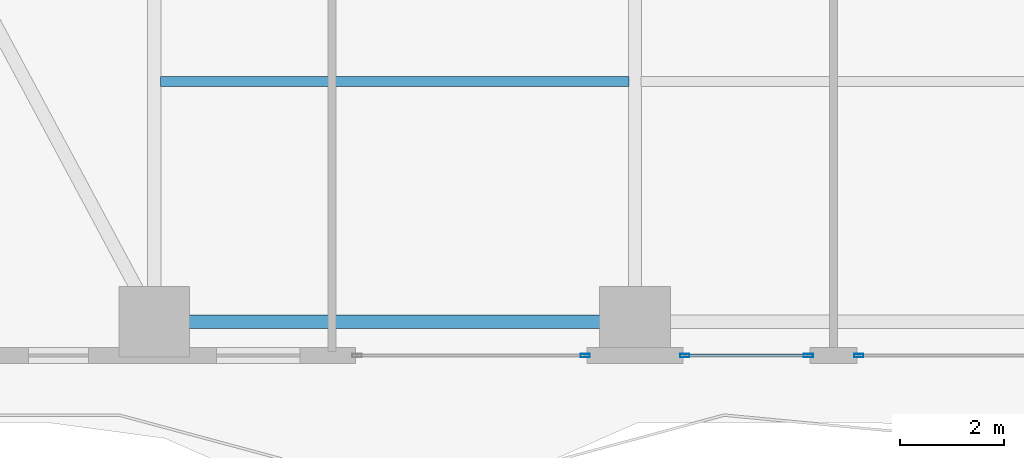
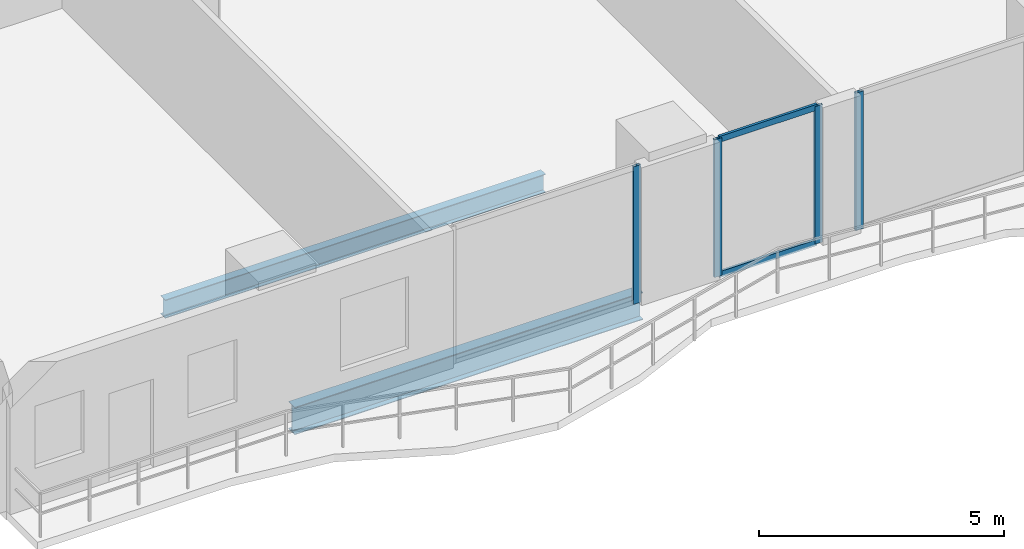
# One storey, part 4 of 28: 6 members, 2 beams, 3 elements without a shape of their own.
"""IFC4 building model written with IfcOpenShell, lengths in metres."""

from ifc_helpers import new_model, si_unit, direction, frame, origin, origin_2d, place, context, subcontext, project, spatial, hollow_rectangle, i_section, extrude, material, layer, layer_set, material_profile, profile_set, type_object, element, aggregate, save


model = new_model("IFC4")

# Units and contexts
model_context = context("Model", 3, precision=1e-05, world=origin(), true_north=direction((0.0, 1.0)))
body_context = subcontext(model_context, "Body", "Model", "MODEL_VIEW")
ifc_project = project(units=[si_unit("LENGTHUNIT", "METRE"), si_unit("AREAUNIT", "SQUARE_METRE"), si_unit("VOLUMEUNIT", "CUBIC_METRE"), si_unit("PLANEANGLEUNIT", "RADIAN"), si_unit("MASSUNIT", "GRAM", prefix="KILO")], contexts=[model_context])

# Site, building, storey
site_placement = place(None, origin())
site = spatial("IfcSite", under=ifc_project, at=site_placement, CompositionType="ELEMENT")
building_placement = place(site_placement, origin())
building = spatial("IfcBuilding", under=site, at=building_placement, Name="Zuhayl Quay Hotel", CompositionType="ELEMENT")
storey_placement = place(building_placement, frame((0.0, 0.0, 146.75)))
storey = spatial("IfcBuildingStorey", under=building, at=storey_placement, Name="L37", CompositionType="ELEMENT", Elevation=146.75)

# Beams
ifc_material_1 = material(Name="Steel ASTM A992 Grade 50", Category="steel")
ifc_material_profile_1 = material_profile(ifc_material_1, i_section(OverallWidth=0.25390625, OverallDepth=0.68310546875, WebThickness=0.012451171875, FlangeThickness=0.018798828125, at=origin_2d()), Name="W27X94")
ifc_profile_set_1 = profile_set([ifc_material_profile_1], Name="Steel ASTM A992 Grade 50")
beam_type_1 = type_object("IfcBeamType", Name="BM_B2_W27X94", PredefinedType="BEAM", material=ifc_profile_set_1)
beam_1_placement = place(storey_placement, frame((-13.300048828125, -14.75, -0.5615234375), z_axis=(1.0, 0.0, 0.0), x_axis=(0.0, 1.0, 0.0)))
element("IfcBeam", 1, at=beam_1_placement, inside=storey, type_object=beam_type_1, Name="L37 Floor Beam RG_L37_01", PredefinedType="BEAM", context=body_context, shape_type="SweptSolid", body=[
    extrude(i_section(OverallWidth=0.25390625, OverallDepth=0.68310546875, WebThickness=0.012451171875, FlangeThickness=0.018798828125, at=origin_2d()), origin(), (0.0, 0.0, 1.0), 8.199951171875),
])
ifc_material_profile_2 = material_profile(ifc_material_1, i_section(OverallWidth=0.18994140625, OverallDepth=0.45703125, WebThickness=0.009033203125, FlangeThickness=0.014404296875, at=origin_2d()), Name="W18X50")
ifc_profile_set_2 = profile_set([ifc_material_profile_2], Name="Steel ASTM A992 Grade 50")
beam_type_2 = type_object("IfcBeamType", Name="BM_J2_W18X50", PredefinedType="JOIST", material=ifc_profile_set_2)
beam_2_placement = place(storey_placement, frame((-13.680908203125, -10.14990234375, -0.448486328125), z_axis=(1.0, 0.0, 0.0), x_axis=(0.0, 1.0, 0.0)))
element("IfcBeam", 2, at=beam_2_placement, inside=storey, type_object=beam_type_2, Name="L37 Floor Beam FJ_L37_5_1", PredefinedType="JOIST", context=body_context, shape_type="SweptSolid", body=[
    extrude(i_section(OverallWidth=0.18994140625, OverallDepth=0.45703125, WebThickness=0.009033203125, FlangeThickness=0.014404296875, at=origin_2d()), origin(), (0.0, 0.0, 1.0), 8.9619140625),
])

# Curtain wall, member
ifc_material_2 = material(Name="Anodised Aluminium 6063-T6", Category="aluminium")
ifc_layer = layer(ifc_material_2, 0.179931640625, Name="Anodised Aluminium 6063-T6", Category="aluminium")
ifc_layer_set = layer_set([ifc_layer], Name="Anodised Aluminium 6063-T6")
curtain_wall_type = type_object("IfcCurtainWallType", Name="CW_SYS_Z2", PredefinedType="USERDEFINED", material=ifc_layer_set)
curtain_wall_1_placement = place(storey_placement, origin())
curtain_wall_1 = element("IfcCurtainWall", 3, at=curtain_wall_1_placement, inside=storey, type_object=curtain_wall_type, Name="L37 Curtain Wall ENV_L37_S_CW4", ObjectType="UNITISED CURTAIN WALL", PredefinedType="USERDEFINED")
ifc_material_3 = material(Name="Black-anodised aluminium 6063-T6", Category="aluminium")
ifc_material_profile_3 = material_profile(ifc_material_3, hollow_rectangle(XDim=0.06494140625, YDim=0.179931640625, WallThickness=0.00341796875, at=origin_2d()), Name="ALU180X65")
ifc_profile_set_3 = profile_set([ifc_material_profile_3], Name="Black-anodised aluminium 6063-T6")
member_type_1 = type_object("IfcMemberType", Name="MB_CW_MUL_180", PredefinedType="MULLION", material=ifc_profile_set_3)
member_1_placement = place(storey_placement, frame((-0.3173828125, -15.39990234375, 0.0), z_axis=(0.0, 0.0, 1.0), x_axis=(0.0, -1.0, 0.0)))
member_1 = element("IfcMember", 4, at=member_1_placement, type_object=member_type_1, Name="CW-Z2 mullion 2", PredefinedType="MULLION", context=body_context, shape_type="SweptSolid", body=[
    extrude(hollow_rectangle(XDim=0.06494140625, YDim=0.179931640625, WallThickness=0.00341796875, at=origin_2d()), origin(), (0.0, 0.0, 1.0), 3.429931640625),
])
aggregate(curtain_wall_1, [member_1])

# Curtain wall, members
curtain_wall_2_placement = place(storey_placement, origin())
curtain_wall_2 = element("IfcCurtainWall", 5, at=curtain_wall_2_placement, inside=storey, type_object=curtain_wall_type, Name="L37 Curtain Wall ENV_L37_S_CW5", ObjectType="UNITISED CURTAIN WALL", PredefinedType="USERDEFINED")
member_2_placement = place(storey_placement, frame((-1.282470703125, -15.39990234375, 0.0), z_axis=(0.0, 0.0, 1.0), x_axis=(0.0, -1.0, 0.0)))
member_2 = element("IfcMember", 6, at=member_2_placement, type_object=member_type_1, Name="CW-Z2 mullion 1", PredefinedType="MULLION", context=body_context, shape_type="SweptSolid", body=[
    extrude(hollow_rectangle(XDim=0.06494140625, YDim=0.179931640625, WallThickness=0.00341796875, at=origin_2d()), origin(), (0.0, 0.0, 1.0), 3.429931640625),
])
member_3_placement = place(storey_placement, frame((-3.6474609375, -15.39990234375, 0.0), z_axis=(0.0, 0.0, 1.0), x_axis=(0.0, -1.0, 0.0)))
member_3 = element("IfcMember", 7, at=member_3_placement, type_object=member_type_1, Name="CW-Z2 mullion 2", PredefinedType="MULLION", context=body_context, shape_type="SweptSolid", body=[
    extrude(hollow_rectangle(XDim=0.06494140625, YDim=0.179931640625, WallThickness=0.00341796875, at=origin_2d()), origin(), (0.0, 0.0, 1.0), 3.429931640625),
])

# Curtain wall, member
curtain_wall_3_placement = place(storey_placement, origin())
curtain_wall_3 = element("IfcCurtainWall", 8, at=curtain_wall_3_placement, inside=storey, type_object=curtain_wall_type, Name="L37 Curtain Wall ENV_L37_S_CW6", ObjectType="UNITISED CURTAIN WALL", PredefinedType="USERDEFINED")
member_4_placement = place(storey_placement, frame((-5.552490234375, -15.39990234375, 0.0), z_axis=(0.0, 0.0, 1.0), x_axis=(0.0, -1.0, 0.0)))
member_4 = element("IfcMember", 9, at=member_4_placement, type_object=member_type_1, Name="CW-Z2 mullion 1", PredefinedType="MULLION", context=body_context, shape_type="SweptSolid", body=[
    extrude(hollow_rectangle(XDim=0.06494140625, YDim=0.179931640625, WallThickness=0.00341796875, at=origin_2d()), origin(), (0.0, 0.0, 1.0), 3.429931640625),
])
aggregate(curtain_wall_3, [member_4])

# Member
ifc_material_profile_4 = material_profile(ifc_material_3, hollow_rectangle(XDim=0.06005859375, YDim=0.14990234375, WallThickness=0.00341796875, at=origin_2d()), Name="ALU150X60")
ifc_profile_set_4 = profile_set([ifc_material_profile_4], Name="Black-anodised aluminium 6063-T6")
member_type_2 = type_object("IfcMemberType", Name="MB_CW_TRN_150", PredefinedType="USERDEFINED", material=ifc_profile_set_4)
member_5_placement = place(storey_placement, frame((-1.31494140625, -15.39990234375, 0.030029296875), z_axis=(-1.0, 0.0, 0.0), x_axis=(0.0, -1.0, 0.0)))
member_5 = element("IfcMember", 10, at=member_5_placement, type_object=member_type_2, Name="CW-Z2 transom 1.1", ObjectType="TRANSOM", PredefinedType="USERDEFINED", context=body_context, shape_type="SweptSolid", body=[
    extrude(hollow_rectangle(XDim=0.06005859375, YDim=0.14990234375, WallThickness=0.00341796875, at=origin_2d()), origin(), (0.0, 0.0, 1.0), 2.300048828125),
])

member_6_placement = place(storey_placement, frame((-1.31494140625, -15.39990234375, 3.39990234375), z_axis=(-1.0, 0.0, 0.0), x_axis=(0.0, -1.0, 0.0)))
member_6 = element("IfcMember", 11, at=member_6_placement, type_object=member_type_2, Name="CW-Z2 transom 1.2", ObjectType="TRANSOM", PredefinedType="USERDEFINED", context=body_context, shape_type="SweptSolid", body=[
    extrude(hollow_rectangle(XDim=0.06005859375, YDim=0.14990234375, WallThickness=0.00341796875, at=origin_2d()), origin(), (0.0, 0.0, 1.0), 2.300048828125),
])

aggregate(curtain_wall_2, [member_2, member_3, member_5, member_6])

save(model, "model.ifc")
